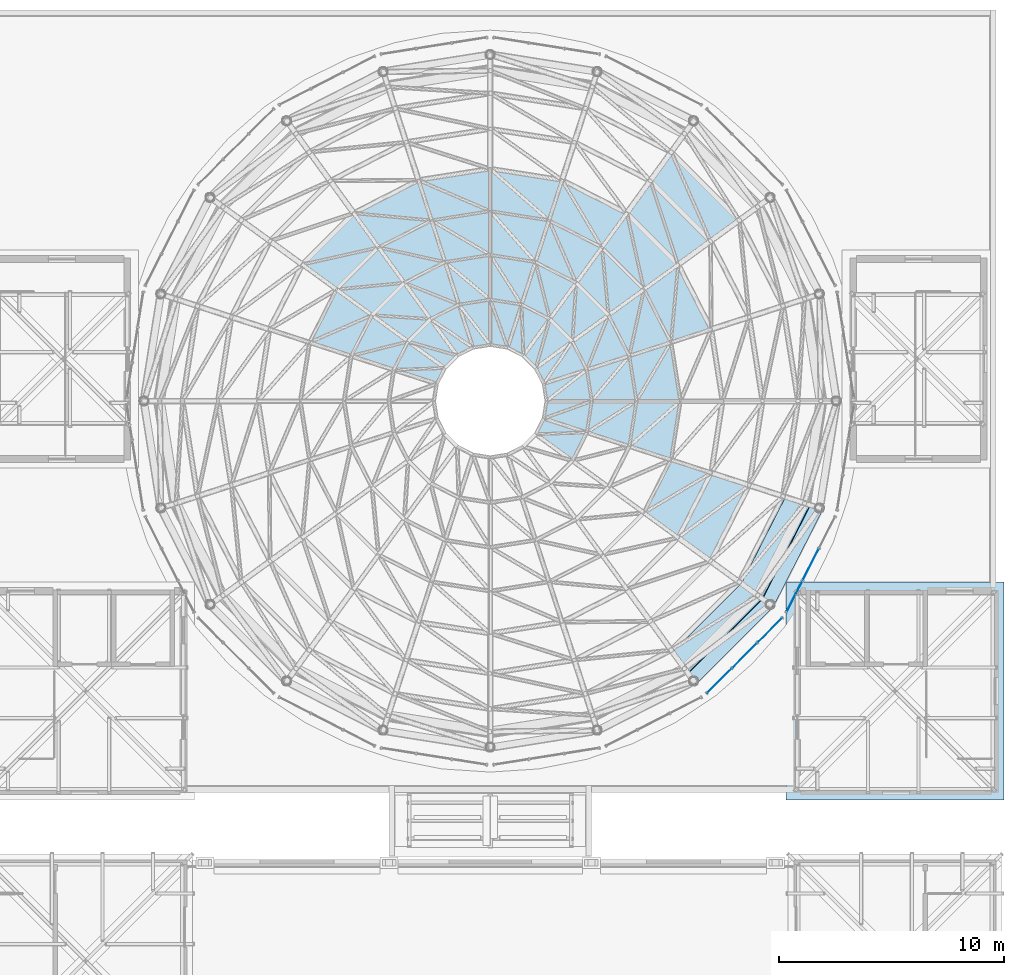
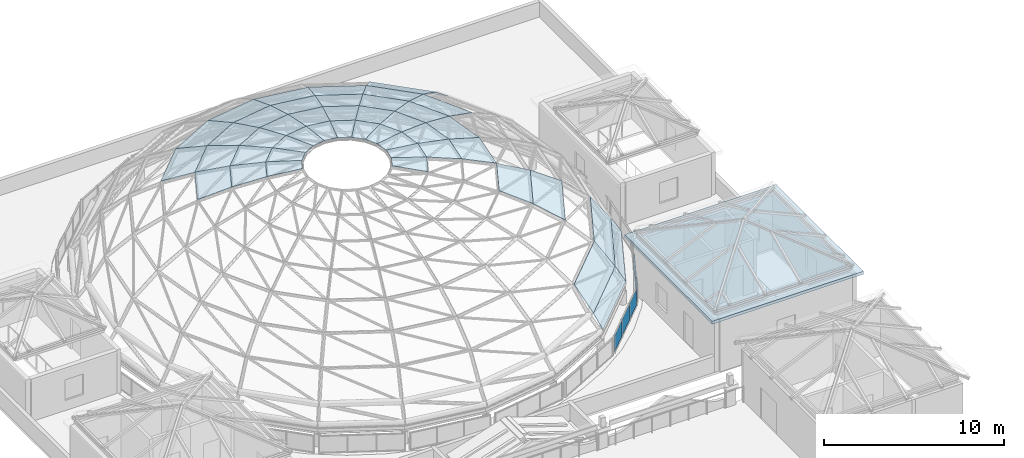
# One storey, part 44 of 69: 51 plates, 1 slab, 2 elements without a shape of their own.
"""IFC4 building model written with IfcOpenShell, lengths in metres."""

from ifc_helpers import new_model, si_unit, direction, frame, origin, origin_2d, place, context, subcontext, project, spatial, polyline, rectangle, outline, extrude, material, layer, layer_set, type_object, element, aggregate, save


model = new_model("IFC4")

# Units and contexts
model_context = context("Model", 3, precision=1e-05, world=origin(), true_north=direction((0.0, 1.0)))
body_context = subcontext(model_context, "Body", "Model", "MODEL_VIEW")
ifc_project = project(units=[si_unit("LENGTHUNIT", "METRE"), si_unit("AREAUNIT", "SQUARE_METRE"), si_unit("VOLUMEUNIT", "CUBIC_METRE"), si_unit("PLANEANGLEUNIT", "RADIAN"), si_unit("MASSUNIT", "GRAM", prefix="KILO")], contexts=[model_context])

# Site, building, storey
site_placement = place(None, origin())
site = spatial("IfcSite", under=ifc_project, at=site_placement, CompositionType="ELEMENT")
building_placement = place(site_placement, origin())
building = spatial("IfcBuilding", under=site, at=building_placement, Name="Kallimachos Central Library", CompositionType="ELEMENT")
storey_placement = place(building_placement, frame((0.0, 0.0, 23.39990234375)))
storey = spatial("IfcBuildingStorey", under=building, at=storey_placement, Name="L05", CompositionType="ELEMENT", Elevation=23.39990234375)

# Plates
ifc_material_1 = material(Name="Laminated glass", Category="glass")
ifc_layer_1 = layer(ifc_material_1, 0.030029296875)
ifc_layer_set_1 = layer_set([ifc_layer_1], Name="Dome glass panel 30")
plate_type_1 = type_object("IfcPlateType", Name="Dome glass panel 30", PredefinedType="SHEET", material=ifc_layer_set_1)
plate_1_placement = place(storey_placement, frame((90.515869140625, 104.39990234375, 8.371826171875), z_axis=(0.125332004224, 0.019854296883, 0.991916173682), x_axis=(0.992111735166, -1.63386e-07, -0.125356710817)))
element("IfcPlate", 1, at=plate_1_placement, inside=storey, type_object=plate_type_1, Name="Dome glass panel", PredefinedType="SHEET", context=body_context, shape_type="SweptSolid", body=[
    extrude(outline(polyline([(0.0, 0.0), (2.0353403135638883, 0.0), (1.8149246355847968, 1.4018879591776596), (-0.12207637571028697, 0.7777408432805891), (0.0, 0.0)])), origin(), (0.0, 0.0, -1.0), 0.030029296875),
])
plate_2_placement = place(storey_placement, frame((90.392822265625, 105.177490234375, 8.371826171875), z_axis=(0.113068264415, 0.057608498402, 0.99191573659), x_axis=(0.943535797581, 0.306634195286, -0.125362151247)))
element("IfcPlate", 2, at=plate_2_placement, inside=storey, type_object=plate_type_1, Name="Dome glass panel", PredefinedType="SHEET", context=body_context, shape_type="SweptSolid", body=[
    extrude(outline(polyline([(0.0, 0.0), (2.0350755613221274, -1.1275702593849246e-17), (1.8150326973507178, 1.4015967266766933), (-0.12216219838901854, 0.77769609807286), (0.0, 0.0)])), origin(), (0.0, 0.0, -1.0), 0.030029296875),
])
plate_3_placement = place(storey_placement, frame((90.035400390625, 105.87890625, 8.371826171875), z_axis=(0.089715197935, 0.089743286601, 0.991915987254), x_axis=(0.802652272183, 0.583125571939, -0.125355084903)))
element("IfcPlate", 3, at=plate_3_placement, inside=storey, type_object=plate_type_1, Name="Dome glass panel", PredefinedType="SHEET", context=body_context, shape_type="SweptSolid", body=[
    extrude(outline(polyline([(0.0, 0.0), (2.0351845268780306, 2.3158558404290375e-16), (1.814765126590937, 1.4016492561918086), (-0.12233984426975092, 0.7774694821598669), (0.0, 0.0)])), origin(), (0.0, 0.0, -1.0), 0.030029296875),
])
plate_4_placement = place(storey_placement, frame((89.478759765625, 106.435302734375, 8.371826171875), z_axis=(0.057616555586, 0.113056516945, 0.991916607633), x_axis=(0.583125417056, 0.802652234592, -0.125356046073)))
element("IfcPlate", 4, at=plate_4_placement, inside=storey, type_object=plate_type_1, Name="Dome glass panel", PredefinedType="SHEET", context=body_context, shape_type="SweptSolid", body=[
    extrude(outline(polyline([(0.0, 0.0), (2.035184526883155, -3.0444397003392965e-16), (1.8151590966028095, 1.401711664347648), (-0.12212803998035682, 0.7777014629893723), (0.0, 0.0)])), origin(), (0.0, 0.0, -1.0), 0.030029296875),
])
plate_5_placement = place(storey_placement, frame((88.77734375, 106.792724609375, 8.371826171875), z_axis=(0.019858637576, 0.125331316641, 0.991916173667), x_axis=(0.306599184583, 0.94354771404, -0.125358092451)))
element("IfcPlate", 5, at=plate_5_placement, inside=storey, type_object=plate_type_1, Name="Dome glass panel", PredefinedType="SHEET", context=body_context, shape_type="SweptSolid", body=[
    extrude(outline(polyline([(0.0, 0.0), (2.035305918223629, -5.117434254131581e-17), (1.8150436019535456, 1.401629298884149), (-0.12200200393580925, 0.7775470988958623), (0.0, 0.0)])), origin(), (0.0, 0.0, -1.0), 0.030029296875),
])
plate_6_placement = place(storey_placement, frame((88.0, 106.916015625, 8.371826171875), z_axis=(-0.019858637576, 0.125331316641, 0.991916173667), x_axis=(-1.48689e-07, 0.992111819918, -0.125356040056)))
element("IfcPlate", 6, at=plate_6_placement, inside=storey, type_object=plate_type_1, Name="Dome glass panel", PredefinedType="SHEET", context=body_context, shape_type="SweptSolid", body=[
    extrude(outline(polyline([(0.0, 0.0), (2.035098098774965, -1.734723475976807e-18), (1.8149250541382458, 1.4016433247707958), (-0.12231835830898213, 0.7774973949707614), (0.0, 0.0)])), origin(), (0.0, 0.0, -1.0), 0.030029296875),
])
plate_7_placement = place(storey_placement, frame((87.22265625, 106.792724609375, 8.371826171875), z_axis=(-0.057616555586, 0.113056516945, 0.991916607633), x_axis=(-0.306599211448, 0.943548413322, -0.125352763258)))
element("IfcPlate", 7, at=plate_7_placement, inside=storey, type_object=plate_type_1, Name="Dome glass panel", PredefinedType="SHEET", context=body_context, shape_type="SweptSolid", body=[
    extrude(outline(polyline([(0.0, 0.0), (2.0353059182761197, -9.540979117872439e-18), (1.8149803455522193, 1.4016645183289014), (-0.12219124575494142, 0.7776915347013296), (0.0, 0.0)])), origin(), (0.0, 0.0, -1.0), 0.030029296875),
])
plate_8_placement = place(storey_placement, frame((86.521240234375, 106.435302734375, 8.371826171875), z_axis=(-0.089715197935, 0.089743286601, 0.991915987254), x_axis=(-0.583125018649, 0.802651718893, -0.125361201267)))
element("IfcPlate", 8, at=plate_8_placement, inside=storey, type_object=plate_type_1, Name="Dome glass panel", PredefinedType="SHEET", context=body_context, shape_type="SweptSolid", body=[
    extrude(outline(polyline([(0.0, 0.0), (2.03518452687803, 2.445960101127298e-16), (1.8151034511248312, 1.4017024183118492), (-0.12200151973585638, 0.7775226442799076), (0.0, 0.0)])), origin(), (0.0, 0.0, -1.0), 0.030029296875),
])
for number, where, z_axis, x_axis, name in (
    (9, (85.964599609375, 105.87890625, 8.371826171875), (-0.113068264415, 0.057608498402, 0.99191573659), (-0.802651687371, 0.583125138216, -0.125360846922), "Dome glass panel"),
    (10, (90.035400390625, 102.921142578125, 8.371826171875), (0.113068264415, -0.057608498402, 0.99191573659), (0.802651687371, -0.583125138216, -0.125360846922), "Dome glass panel"),
):
    element("IfcPlate", number, at=place(storey_placement, frame(where, z_axis=z_axis, x_axis=x_axis)), inside=storey, type_object=plate_type_1, Name=name, PredefinedType="SHEET", context=body_context, shape_type="SweptSolid", body=[
        extrude(outline(polyline([(0.0, 0.0), (2.035184526880142, -1.3010426069826053e-17), (1.8149631366456382, 1.4015686873994952), (-0.1221280399865638, 0.7777014629805128), (0.0, 0.0)])), origin(), (0.0, 0.0, -1.0), 0.030029296875),
    ])
plate_9_placement = place(storey_placement, frame((90.392822265625, 103.62255859375, 8.371826171875), z_axis=(0.125331316641, -0.019858637576, 0.991916173667), x_axis=(0.943536435391, -0.306634188147, -0.125357368151)))
element("IfcPlate", 11, at=plate_9_placement, inside=storey, type_object=plate_type_1, Name="Dome glass panel", PredefinedType="SHEET", context=body_context, shape_type="SweptSolid", body=[
    extrude(outline(polyline([(0.0, 0.0), (2.035075561271716, 8.847089727481716e-17), (1.8149920447297418, 1.4016960605105235), (-0.12226095986861575, 0.7774677463196619), (0.0, 0.0)])), origin(), (0.0, 0.0, -1.0), 0.030029296875),
])
plate_10_placement = place(storey_placement, frame((92.53515625, 104.39990234375, 8.11669921875), z_axis=(0.201147794281, 0.031856894976, 0.979042748351), x_axis=(0.979539919561, 5.87271e-07, -0.201249958973)))
element("IfcPlate", 12, at=plate_10_placement, inside=storey, type_object=plate_type_1, Name="Dome glass panel", PredefinedType="SHEET", context=body_context, shape_type="SweptSolid", body=[
    extrude(outline(polyline([(0.0, 0.0), (2.0402871612589446, -1.734723475976807e-18), (1.727246902964533, 2.020067259094484), (-0.21762157111267377, 1.4023244174721545), (0.0, 0.0)])), origin(), (0.0, 0.0, -1.0), 0.030029296875),
])
plate_11_placement = place(storey_placement, frame((92.31298828125, 105.801513671875, 8.11669921875), z_axis=(0.181455239551, 0.092457610785, 0.979043199378), x_axis=(0.931639632713, 0.302570251874, -0.201243229551)))
element("IfcPlate", 13, at=plate_11_placement, inside=storey, type_object=plate_type_1, Name="Dome glass panel", PredefinedType="SHEET", context=body_context, shape_type="SweptSolid", body=[
    extrude(outline(polyline([(0.0, 0.0), (2.0406174558170918, -4.163336342344337e-17), (1.726990201340094, 2.020202577626208), (-0.2175186979711335, 1.401990678291053), (0.0, 0.0)])), origin(), (0.0, 0.0, -1.0), 0.030029296875),
])
plate_12_placement = place(storey_placement, frame((91.6689453125, 107.065673828125, 8.11669921875), z_axis=(0.143997379448, 0.143997379448, 0.979045202952), x_axis=(0.792459856033, 0.575769488202, -0.201238348811)))
element("IfcPlate", 14, at=plate_12_placement, inside=storey, type_object=plate_type_1, Name="Dome glass panel", PredefinedType="SHEET", context=body_context, shape_type="SweptSolid", body=[
    extrude(outline(polyline([(0.0, 0.0), (2.0404168228596085, -3.2959746043559335e-17), (1.7273720943258697, 2.020040895777263), (-0.21757157745986522, 1.4020941326783494), (0.0, 0.0)])), origin(), (0.0, 0.0, -1.0), 0.030029296875),
])
plate_13_placement = place(storey_placement, frame((90.66552734375, 108.06884765625, 8.11669921875), z_axis=(0.092452635267, 0.18144547471, 0.979045478994), x_axis=(0.575791124849, 0.792444800752, -0.201235728203)))
element("IfcPlate", 15, at=plate_13_placement, inside=storey, type_object=plate_type_1, Name="Dome glass panel", PredefinedType="SHEET", context=body_context, shape_type="SweptSolid", body=[
    extrude(outline(polyline([(0.0, 0.0), (2.0407508639942638, 2.480654570646834e-16), (1.7272999619340712, 2.0201177853678898), (-0.2173302283404689, 1.4021320733154607), (0.0, 0.0)])), origin(), (0.0, 0.0, -1.0), 0.030029296875),
])
plate_14_placement = place(storey_placement, frame((89.4013671875, 108.713134765625, 8.11669921875), z_axis=(0.031858817817, 0.201145578016, 0.979043141119), x_axis=(0.302713516239, 0.931592221414, -0.201247261066)))
element("IfcPlate", 16, at=plate_14_placement, inside=storey, type_object=plate_type_1, Name="Dome glass panel", PredefinedType="SHEET", context=body_context, shape_type="SweptSolid", body=[
    extrude(outline(polyline([(0.0, 0.0), (2.0404638977366996, -1.9081958235744878e-17), (1.727218055636037, 2.020074029068446), (-0.2174702768424365, 1.402065211869158), (0.0, 0.0)])), origin(), (0.0, 0.0, -1.0), 0.030029296875),
])
plate_15_placement = place(storey_placement, frame((88.0, 108.93505859375, 8.11669921875), z_axis=(-0.031858817817, 0.201145578016, 0.979043141119), x_axis=(1.07812e-07, 0.979540377052, -0.201247732222)))
element("IfcPlate", 17, at=plate_15_placement, inside=storey, type_object=plate_type_1, Name="Dome glass panel", PredefinedType="SHEET", context=body_context, shape_type="SweptSolid", body=[
    extrude(outline(polyline([(0.0, 0.0), (2.0405263067684203, 0.0), (1.7272453532670506, 2.0200685841533828), (-0.2173835013622884, 1.4020786686128224), (0.0, 0.0)])), origin(), (0.0, 0.0, -1.0), 0.030029296875),
])
plate_16_placement = place(storey_placement, frame((86.5986328125, 108.713134765625, 8.11669921875), z_axis=(-0.092452635267, 0.18144547471, 0.979045478994), x_axis=(-0.302714679049, 0.931594034437, -0.201237119066)))
element("IfcPlate", 18, at=plate_16_placement, inside=storey, type_object=plate_type_1, Name="Dome glass panel", PredefinedType="SHEET", context=body_context, shape_type="SweptSolid", body=[
    extrude(outline(polyline([(0.0, 0.0), (2.040463897555686, 3.9898639947466563e-17), (1.7273694872744678, 2.020173068084186), (-0.2175341915928975, 1.4021004438550246), (0.0, 0.0)])), origin(), (0.0, 0.0, -1.0), 0.030029296875),
])
plate_17_placement = place(storey_placement, frame((85.33447265625, 108.06884765625, 8.11669921875), z_axis=(-0.143997379448, 0.143997379448, 0.979045202952), x_axis=(-0.575789914685, 0.792444813477, -0.201239140676)))
element("IfcPlate", 19, at=plate_17_placement, inside=storey, type_object=plate_type_1, Name="Dome glass panel", PredefinedType="SHEET", context=body_context, shape_type="SweptSolid", body=[
    extrude(outline(polyline([(0.0, 0.0), (2.0407508638841243, -2.0643209364124004e-16), (1.727423362501419, 2.0199970543425647), (-0.21720195049380997, 1.4021514400773945), (0.0, 0.0)])), origin(), (0.0, 0.0, -1.0), 0.030029296875),
])
plate_18_placement = place(storey_placement, frame((84.3310546875, 107.065673828125, 8.11669921875), z_axis=(-0.181455239551, 0.092457610785, 0.979043199378), x_axis=(-0.79245882062, 0.575767743747, -0.20124741708)))
element("IfcPlate", 20, at=plate_18_placement, inside=storey, type_object=plate_type_1, Name="Dome glass panel", PredefinedType="SHEET", context=body_context, shape_type="SweptSolid", body=[
    extrude(outline(polyline([(0.0, 0.0), (2.0404168230977073, 3.0010716134398763e-16), (1.727214992018508, 2.02026857680037), (-0.21748510945490485, 1.4019958891335778), (0.0, 0.0)])), origin(), (0.0, 0.0, -1.0), 0.030029296875),
])
plate_19_placement = place(storey_placement, frame((92.31298828125, 102.99853515625, 8.11669921875), z_axis=(0.201145578016, -0.031858817817, 0.979043141119), x_axis=(0.931603188621, -0.302679011298, -0.201248391475)))
element("IfcPlate", 21, at=plate_19_placement, inside=storey, type_object=plate_type_1, Name="Dome glass panel", PredefinedType="SHEET", context=body_context, shape_type="SweptSolid", body=[
    extrude(outline(polyline([(0.0, 0.0), (2.0406913385827257, 6.938893903907228e-18), (1.7272912288348485, 2.02001146170564), (-0.2171920466806242, 1.4021470014295172), (0.0, 0.0)])), origin(), (0.0, 0.0, -1.0), 0.030029296875),
])
plate_20_placement = place(storey_placement, frame((94.53369140625, 104.39990234375, 7.7060546875), z_axis=(0.282758662531, 0.044765041952, 0.958145933448), x_axis=(0.959107402471, -4.05781e-07, -0.283042382913)))
element("IfcPlate", 22, at=plate_20_placement, inside=storey, type_object=plate_type_1, Name="Dome glass panel", PredefinedType="SHEET", context=body_context, shape_type="SweptSolid", body=[
    extrude(outline(polyline([(0.0, 0.0), (2.041738719622893, 0.0), (1.6432023034241368, 2.626901600673863), (-0.306512437902067, 2.0210680495871465), (0.0, 0.0)])), origin(), (0.0, 0.0, -1.0), 0.030029296875),
])
plate_21_placement = place(storey_placement, frame((94.214111328125, 106.4189453125, 7.7060546875), z_axis=(0.25507469904, 0.129982986169, 0.958144728742), x_axis=(0.912146870215, 0.296435723963, -0.283044075569)))
element("IfcPlate", 23, at=plate_21_placement, inside=storey, type_object=plate_type_1, Name="Dome glass panel", PredefinedType="SHEET", context=body_context, shape_type="SweptSolid", body=[
    extrude(outline(polyline([(0.0, 0.0), (2.041671340961786, 6.591949208711867e-17), (1.6430685806615872, 2.6267564337730622), (-0.3067078769705679, 2.0212646506239476), (0.0, 0.0)])), origin(), (0.0, 0.0, -1.0), 0.030029296875),
])
plate_22_placement = place(storey_placement, frame((93.285888671875, 108.240478515625, 7.7060546875), z_axis=(0.202453785569, 0.202424050123, 0.958142457383), x_axis=(0.775962378448, 0.563705581533, -0.283051946792)))
element("IfcPlate", 24, at=plate_22_placement, inside=storey, type_object=plate_type_1, Name="Dome glass panel", PredefinedType="SHEET", context=body_context, shape_type="SweptSolid", body=[
    extrude(outline(polyline([(0.0, 0.0), (2.041628892370272, 2.3245294578089215e-16), (1.6430077139819477, 2.6269299902336907), (-0.30663977835806633, 2.021023075127617), (0.0, 0.0)])), origin(), (0.0, 0.0, -1.0), 0.030029296875),
])
plate_23_placement = place(storey_placement, frame((91.840576171875, 109.68603515625, 7.7060546875), z_axis=(0.129959379925, 0.255086727075, 0.958144728754), x_axis=(0.563706877465, 0.775964307167, -0.283044078372)))
element("IfcPlate", 25, at=plate_23_placement, inside=storey, type_object=plate_type_1, Name="Dome glass panel", PredefinedType="SHEET", context=body_context, shape_type="SweptSolid", body=[
    extrude(outline(polyline([(0.0, 0.0), (2.041628892354339, 2.0816681711721685e-17), (1.6430844083452523, 2.626653167731959), (-0.30673258819064386, 2.0211487958049257), (0.0, 0.0)])), origin(), (0.0, 0.0, -1.0), 0.030029296875),
])
plate_24_placement = place(storey_placement, frame((90.01904296875, 110.614013671875, 7.7060546875), z_axis=(0.044794048364, 0.282754067654, 0.958145933799), x_axis=(0.296436073335, 0.912148463387, -0.283038575405)))
element("IfcPlate", 26, at=plate_24_placement, inside=storey, type_object=plate_type_1, Name="Dome glass panel", PredefinedType="SHEET", context=body_context, shape_type="SweptSolid", body=[
    extrude(outline(polyline([(0.0, 0.0), (2.0416713409408356, 5.204170427930421e-17), (1.6429890852942148, 2.626918100695097), (-0.3067899998638873, 2.0210645552408626), (0.0, 0.0)])), origin(), (0.0, 0.0, -1.0), 0.030029296875),
])
plate_25_placement = place(storey_placement, frame((88.0, 110.933837890625, 7.7060546875), z_axis=(-0.044794048364, 0.282754067654, 0.958145933799), x_axis=(2.08633e-07, 0.959108648607, -0.283038160267)))
element("IfcPlate", 27, at=plate_25_placement, inside=storey, type_object=plate_type_1, Name="Dome glass panel", PredefinedType="SHEET", context=body_context, shape_type="SweptSolid", body=[
    extrude(outline(polyline([(0.0, 0.0), (2.0417387196846306, 0.0), (1.6429681456680139, 2.626904695268839), (-0.30674659547576, 2.0210711433869566), (0.0, 0.0)])), origin(), (0.0, 0.0, -1.0), 0.030029296875),
])
plate_26_placement = place(storey_placement, frame((85.98095703125, 110.614013671875, 7.7060546875), z_axis=(-0.129959379925, 0.255086727075, 0.958144728754), x_axis=(-0.296435207586, 0.912145856602, -0.283047882854)))
element("IfcPlate", 28, at=plate_26_placement, inside=storey, type_object=plate_type_1, Name="Dome glass panel", PredefinedType="SHEET", context=body_context, shape_type="SweptSolid", body=[
    extrude(outline(polyline([(0.0, 0.0), (2.041671340936884, 3.122502256758253e-17), (1.6432912728560392, 2.6266781094466656), (-0.30648518484970133, 2.021186326618473), (0.0, 0.0)])), origin(), (0.0, 0.0, -1.0), 0.030029296875),
])
plate_27_placement = place(storey_placement, frame((84.159423828125, 109.68603515625, 7.7060546875), z_axis=(-0.202453785569, 0.202424050123, 0.958142457383), x_axis=(-0.563706859236, 0.775963656151, -0.283045899427)))
element("IfcPlate", 29, at=plate_27_placement, inside=storey, type_object=plate_type_1, Name="Dome glass panel", PredefinedType="SHEET", context=body_context, shape_type="SweptSolid", body=[
    extrude(outline(polyline([(0.0, 0.0), (2.041628892370272, 6.245004513516506e-17), (1.6426806462969665, 2.6268803388056923), (-0.3069668460430478, 2.0209734236996186), (0.0, 0.0)])), origin(), (0.0, 0.0, -1.0), 0.030029296875),
])
plate_28_placement = place(storey_placement, frame((82.714111328125, 108.240478515625, 7.7060546875), z_axis=(-0.25507469904, 0.129982986169, 0.958144728742), x_axis=(-0.775963293511, 0.563706361067, -0.283047885729)))
element("IfcPlate", 30, at=plate_28_placement, inside=storey, type_object=plate_type_1, Name="Dome glass panel", PredefinedType="SHEET", context=body_context, shape_type="SweptSolid", body=[
    extrude(outline(polyline([(0.0, 0.0), (2.041628892379242, -4.5102810375396984e-17), (1.6432738524212416, 2.62679401267537), (-0.3065431440410664, 2.021289640427408), (0.0, 0.0)])), origin(), (0.0, 0.0, -1.0), 0.030029296875),
])
plate_29_placement = place(storey_placement, frame((94.214111328125, 102.380859375, 7.7060546875), z_axis=(0.282760860823, -0.044767743818, 0.95814515847), x_axis=(0.912182696479, -0.296327298048, -0.283042153532)))
element("IfcPlate", 31, at=plate_29_placement, inside=storey, type_object=plate_type_1, Name="Dome glass panel", PredefinedType="SHEET", context=body_context, shape_type="SweptSolid", body=[
    extrude(outline(polyline([(0.0, 0.0), (2.0415989821079914, -5.551115123125783e-17), (1.6430660597421414, 2.6266582349446868), (-0.3067821301670688, 2.0210271299669147), (0.0, 0.0)])), origin(), (0.0, 0.0, -1.0), 0.030029296875),
])
plate_30_placement = place(storey_placement, frame((96.076416015625, 107.024169921875, 7.128173828125), z_axis=(0.326814272817, 0.166520879886, 0.93030276128), x_axis=(0.886237779917, 0.287933240026, -0.362873320508)))
element("IfcPlate", 32, at=plate_30_placement, inside=storey, type_object=plate_type_1, Name="Dome glass panel", PredefinedType="SHEET", context=body_context, shape_type="SweptSolid", body=[
    extrude(outline(polyline([(0.0, 0.0), (2.0451804559053692, 4.163336342344337e-17), (1.5710054139393719, 3.2184578814416644), (-0.3874756287306276, 2.6284208486425245), (0.0, 0.0)])), origin(), (0.0, 0.0, -1.0), 0.030029296875),
])
plate_31_placement = place(storey_placement, frame((94.8701171875, 109.391357421875, 7.128173828125), z_axis=(0.259362163446, 0.259347012017, 0.93030661372), x_axis=(0.753866770616, 0.547733847336, -0.362867089501)))
element("IfcPlate", 33, at=plate_31_placement, inside=storey, type_object=plate_type_1, Name="Dome glass panel", PredefinedType="SHEET", context=body_context, shape_type="SweptSolid", body=[
    extrude(outline(polyline([(0.0, 0.0), (2.0454319093557203, -2.7755575615628914e-17), (1.571265795305453, 3.218363245383146), (-0.3871203883781611, 2.6286494291132882), (0.0, 0.0)])), origin(), (0.0, 0.0, -1.0), 0.030029296875),
])
plate_32_placement = place(storey_placement, frame((92.991455078125, 111.270263671875, 7.128173828125), z_axis=(0.166520879886, 0.326814272817, 0.93030276128), x_axis=(0.547790019045, 0.753824493575, -0.362870125419)))
element("IfcPlate", 34, at=plate_32_placement, inside=storey, type_object=plate_type_1, Name="Dome glass panel", PredefinedType="SHEET", context=body_context, shape_type="SweptSolid", body=[
    extrude(outline(polyline([(0.0, 0.0), (2.045247865135542, 4.163336342344337e-17), (1.5708160511730593, 3.2185320748863604), (-0.38756812167920374, 2.6282951735943545), (0.0, 0.0)])), origin(), (0.0, 0.0, -1.0), 0.030029296875),
])
plate_33_placement = place(storey_placement, frame((90.624267578125, 112.476318359375, 7.128173828125), z_axis=(0.057379461971, 0.36227698329, 0.930302630719), x_axis=(0.287897476375, 0.886247441234, -0.362878100748)))
element("IfcPlate", 35, at=plate_33_placement, inside=storey, type_object=plate_type_1, Name="Dome glass panel", PredefinedType="SHEET", context=body_context, shape_type="SweptSolid", body=[
    extrude(outline(polyline([(0.0, 0.0), (2.0453968238416653, -1.5959455978986625e-16), (1.571256438334218, 3.2184300870081666), (-0.38704359890927253, 2.628658117614707), (0.0, 0.0)])), origin(), (0.0, 0.0, -1.0), 0.030029296875),
])
plate_34_placement = place(storey_placement, frame((88.0, 112.89208984375, 7.128173828125), z_axis=(-0.057379461971, 0.36227698329, 0.930302630719), x_axis=(-1.273105e-06, 0.931837861648, -0.362874909021)))
element("IfcPlate", 36, at=plate_34_placement, inside=storey, type_object=plate_type_1, Name="Dome glass panel", PredefinedType="SHEET", context=body_context, shape_type="SweptSolid", body=[
    extrude(outline(polyline([(0.0, 0.0), (2.0451821463503186, -6.938893903907228e-18), (1.571077324976621, 3.2184353261295713), (-0.38742826996746316, 2.628601449894669), (0.0, 0.0)])), origin(), (0.0, 0.0, -1.0), 0.030029296875),
])
plate_35_placement = place(storey_placement, frame((85.375732421875, 112.476318359375, 7.128173828125), z_axis=(-0.166520879886, 0.326814272817, 0.93030276128), x_axis=(-0.28789628579, 0.886250643372, -0.362871224749)))
element("IfcPlate", 37, at=plate_35_placement, inside=storey, type_object=plate_type_1, Name="Dome glass panel", PredefinedType="SHEET", context=body_context, shape_type="SweptSolid", body=[
    extrude(outline(polyline([(0.0, 0.0), (2.0453968241211857, 1.1102230246251565e-16), (1.5708792969684038, 3.2185194390584067), (-0.38736225372054733, 2.6283255226234563), (0.0, 0.0)])), origin(), (0.0, 0.0, -1.0), 0.030029296875),
])
plate_36_placement = place(storey_placement, frame((83.008544921875, 111.270263671875, 7.128173828125), z_axis=(-0.259362163446, 0.259347012017, 0.93030661372), x_axis=(-0.547791975116, 0.753824077835, -0.362868036171)))
element("IfcPlate", 38, at=plate_36_placement, inside=storey, type_object=plate_type_1, Name="Dome glass panel", PredefinedType="SHEET", context=body_context, shape_type="SweptSolid", body=[
    extrude(outline(polyline([(0.0, 0.0), (2.04524786506243, 1.3877787807814457e-16), (1.5713136678393669, 3.2183974054875817), (-0.3872487437759913, 2.628630523051802), (0.0, 0.0)])), origin(), (0.0, 0.0, -1.0), 0.030029296875),
])
plate_37_placement = place(storey_placement, frame((94.8701171875, 99.408447265625, 7.128173828125), z_axis=(0.326814272817, -0.166520879886, 0.93030276128), x_axis=(0.753919057486, -0.547653986415, -0.362878996254)))
element("IfcPlate", 39, at=plate_37_placement, inside=storey, type_object=plate_type_1, Name="Dome glass panel", PredefinedType="SHEET", context=body_context, shape_type="SweptSolid", body=[
    extrude(outline(polyline([(0.0, 0.0), (2.0452981946702637, -2.983724378680108e-16), (1.5713500140089187, 3.218271417573321), (-0.3870817000073774, 2.6286987642574737), (0.0, 0.0)])), origin(), (0.0, 0.0, -1.0), 0.030029296875),
])
plate_38_placement = place(storey_placement, frame((96.412109375, 110.51171875, 6.385986328125), z_axis=(0.344906838726, 0.344906838726, 0.872971102156), x_axis=(0.708336158693, 0.514590986254, -0.483172850183)))
element("IfcPlate", 40, at=plate_38_placement, inside=storey, type_object=plate_type_1, Name="Dome glass panel", PredefinedType="SHEET", context=body_context, shape_type="SweptSolid", body=[
    extrude(outline(polyline([(0.0, 0.0), (2.051462405480206, -1.5265566588595902e-16), (1.5287856097182972, 3.77922759893425), (-0.44567065788857074, 3.222432799742851), (0.0, 0.0)])), origin(), (0.0, 0.0, -1.0), 0.030029296875),
])
plate_39_placement = place(storey_placement, frame((96.412109375, 98.288330078125, 6.385986328125), z_axis=(0.434605743219, -0.221439165851, 0.872973392372), x_axis=(0.708335932993, -0.514590871256, -0.483173303537)))
element("IfcPlate", 41, at=plate_39_placement, inside=storey, type_object=plate_type_1, Name="Dome glass panel", PredefinedType="SHEET", context=body_context, shape_type="SweptSolid", body=[
    extrude(outline(polyline([(0.0, 0.0), (2.0514624054799295, 1.942890293094024e-16), (1.5290713918437049, 3.77902867941095), (-0.44543426877057457, 3.2223417117686384), (0.0, 0.0)])), origin(), (0.0, 0.0, -1.0), 0.030029296875),
])
plate_40_placement = place(storey_placement, frame((97.865234375, 111.5673828125, 5.394775390625), z_axis=(0.446723515865, 0.446723515865, 0.775162048056), x_axis=(0.630133225216, 0.457956643064, -0.627062860926)))
element("IfcPlate", 42, at=plate_40_placement, inside=storey, type_object=plate_type_1, Name="Dome glass panel", PredefinedType="SHEET", context=body_context, shape_type="SweptSolid", body=[
    extrude(outline(polyline([(0.0, 0.0), (2.0673951521168705, 5.551115123125783e-17), (1.5415756047182296, 4.286816655979638), (-0.46449004706651076, 3.7868194139079865), (0.0, 0.0)])), origin(), (0.0, 0.0, -1.0), 0.030029296875),
])
plate_41_placement = place(storey_placement, frame((96.114013671875, 93.23193359375, 4.098388671875), z_axis=(0.577037199739, -0.577059326246, 0.577953807938), x_axis=(0.342538958721, -0.471408907353, -0.812675029656)))
element("IfcPlate", 43, at=plate_41_placement, inside=storey, type_object=plate_type_1, Name="Dome glass panel", PredefinedType="SHEET", context=body_context, shape_type="SweptSolid", body=[
    extrude(outline(polyline([(0.0, 0.0), (2.0100357559715203, 0.0), (1.5831747540244945, 4.665960792110681), (-0.39356303404184145, 4.300975630258858), (0.0, 0.0)])), origin(), (0.0, 0.0, -1.0), 0.030029296875),
])
plate_42_placement = place(storey_placement, frame((99.16796875, 96.285888671875, 4.098388671875), z_axis=(0.727132424809, -0.370480641481, 0.577946823747), x_axis=(0.471445000162, -0.342480092095, -0.81267890236)))
element("IfcPlate", 44, at=plate_42_placement, inside=storey, type_object=plate_type_1, Name="Dome glass panel", PredefinedType="SHEET", context=body_context, shape_type="SweptSolid", body=[
    extrude(outline(polyline([(0.0, 0.0), (2.01015085108074, -2.220446049250313e-16), (1.5831047735880786, 4.665892777466114), (-0.3935223267552095, 4.301222083950132), (0.0, 0.0)])), origin(), (0.0, 0.0, -1.0), 0.030029296875),
])
plate_43_placement = place(storey_placement, frame((96.802490234375, 92.284423828125, 2.46484375), z_axis=(0.604845084518, -0.604866940595, 0.517975296621), x_axis=(0.307115335479, -0.422949505093, -0.852522074116)))
element("IfcPlate", 45, at=plate_43_placement, inside=storey, type_object=plate_type_1, Name="Dome glass panel", PredefinedType="SHEET", context=body_context, shape_type="SweptSolid", body=[
    extrude(outline(polyline([(0.0, 0.0), (1.1254977053822914, -5.551115123125783e-17), (0.7266390314974166, 4.85328335494681), (-0.3836822671687552, 4.669709663914871), (0.0, 0.0)])), origin(), (0.0, 0.0, -1.0), 0.030029296875),
])
plate_44_placement = place(storey_placement, frame((100.11572265625, 95.597412109375, 2.46484375), z_axis=(0.762156157911, -0.388323491085, 0.517998896938), x_axis=(0.422882461752, -0.307219951969, -0.852517638911)))
element("IfcPlate", 46, at=plate_44_placement, inside=storey, type_object=plate_type_1, Name="Dome glass panel", PredefinedType="SHEET", context=body_context, shape_type="SweptSolid", body=[
    extrude(outline(polyline([(0.0, 0.0), (1.1253944557772908, 1.3877787807814457e-17), (0.7273463416961623, 4.853078688838223), (-0.38313212204249414, 4.669703795841668), (0.0, 0.0)])), origin(), (0.0, 0.0, -1.0), 0.030029296875),
])

# Slab
ifc_material_2 = material(Name="Concrete C30/37", Category="concrete")
ifc_layer_2 = layer(ifc_material_2, 0.199951171875)
ifc_layer_set_2 = layer_set([ifc_layer_2], Name="Head-house roof slab 200")
slab_type = type_object("IfcSlabType", Name="Head-house roof slab 200", PredefinedType="ROOF", material=ifc_layer_set_2)
slab_placement = place(storey_placement, frame((0.0, 0.0, 3.60009765625)))
element("IfcSlab", 47, at=slab_placement, inside=storey, type_object=slab_type, Name="Head-house roof and cornice V1-SE", PredefinedType="ROOF", context=body_context, shape_type="SweptSolid", body=[
    extrude(outline(polyline([(101.14990234375, 86.64990234375), (110.85009765625, 86.64990234375), (110.85009765625, 96.35009765625), (101.14990234375, 96.35009765625), (101.14990234375, 86.64990234375)])), origin(), (0.0, 0.0, 1.0), 0.199951171875),
])

# Curtain wall, plates
ifc_material_3 = material(Name="Anodised aluminium and laminated glass", Category="aluminium")
ifc_layer_3 = layer(ifc_material_3, 0.159912109375)
ifc_layer_set_3 = layer_set([ifc_layer_3], Name="Glass box curtain wall")
curtain_wall_type = type_object("IfcCurtainWallType", Name="Glass box curtain wall", PredefinedType="NOTDEFINED", material=ifc_layer_set_3)
curtain_wall_1_placement = place(storey_placement, origin())
curtain_wall_1 = element("IfcCurtainWall", 48, at=curtain_wall_1_placement, inside=storey, type_object=curtain_wall_type, Name="Drum clerestory facet 18", PredefinedType="NOTDEFINED")
ifc_material_4 = material(Name="Laminated glass", Category="glass")
ifc_layer_4 = layer(ifc_material_4, 0.028076171875)
ifc_layer_set_4 = layer_set([ifc_layer_4], Name="Laminated glass panel 28")
plate_type_2 = type_object("IfcPlateType", Name="Laminated glass panel 28", PredefinedType="CURTAIN_PANEL", material=ifc_layer_set_4)
plate_45_placement = place(storey_placement, frame((98.186279296875, 91.958740234375, 0.06005859375), z_axis=(0.0, 0.0, 1.0), x_axis=(0.707106781187, 0.707106781187, 0.0)))
plate_45 = element("IfcPlate", 49, at=plate_45_placement, type_object=plate_type_2, Name="CW52 panel 1.1", PredefinedType="CURTAIN_PANEL", context=body_context, shape_type="SweptSolid", body=[
    extrude(rectangle(XDim=1.51953125, YDim=0.028076171875, at=origin_2d()), origin(), (0.0, 0.0, 1.0), 1.080078125),
])
plate_46_placement = place(storey_placement, frame((99.313720703125, 93.086181640625, 0.06005859375), z_axis=(0.0, 0.0, 1.0), x_axis=(0.707106781187, 0.707106781187, 0.0)))
plate_46 = element("IfcPlate", 50, at=plate_46_placement, type_object=plate_type_2, Name="CW52 panel 2.1", PredefinedType="CURTAIN_PANEL", context=body_context, shape_type="SweptSolid", body=[
    extrude(rectangle(XDim=1.549560546875, YDim=0.028076171875, at=origin_2d()), origin(), (0.0, 0.0, 1.0), 1.080078125),
])
plate_47_placement = place(storey_placement, frame((100.441162109375, 94.213623046875, 0.06005859375), z_axis=(0.0, 0.0, 1.0), x_axis=(0.707106781187, 0.707106781187, 0.0)))
plate_47 = element("IfcPlate", 51, at=plate_47_placement, type_object=plate_type_2, Name="CW52 panel 3.1", PredefinedType="CURTAIN_PANEL", context=body_context, shape_type="SweptSolid", body=[
    extrude(rectangle(XDim=1.51953125, YDim=0.028076171875, at=origin_2d()), origin(), (0.0, 0.0, 1.0), 1.080078125),
])
aggregate(curtain_wall_1, [plate_45, plate_46, plate_47])

curtain_wall_2_placement = place(storey_placement, origin())
curtain_wall_2 = element("IfcCurtainWall", 52, at=curtain_wall_2_placement, inside=storey, type_object=curtain_wall_type, Name="Drum clerestory facet 19", PredefinedType="NOTDEFINED")
plate_48_placement = place(storey_placement, frame((101.5322265625, 95.715576171875, 0.06005859375), z_axis=(0.0, 0.0, 1.0), x_axis=(0.453990803653, 0.891006369337, 0.0)))
plate_48 = element("IfcPlate", 53, at=plate_48_placement, type_object=plate_type_2, Name="CW53 panel 1.1", PredefinedType="CURTAIN_PANEL", context=body_context, shape_type="SweptSolid", body=[
    extrude(rectangle(XDim=1.51953125, YDim=0.028076171875, at=origin_2d()), origin(), (0.0, 0.0, 1.0), 1.080078125),
])
plate_49_placement = place(storey_placement, frame((102.256103515625, 97.13623046875, 0.06005859375), z_axis=(0.0, 0.0, 1.0), x_axis=(0.453990803653, 0.891006369337, 0.0)))
plate_49 = element("IfcPlate", 54, at=plate_49_placement, type_object=plate_type_2, Name="CW53 panel 2.1", PredefinedType="CURTAIN_PANEL", context=body_context, shape_type="SweptSolid", body=[
    extrude(rectangle(XDim=1.54931640625, YDim=0.028076171875, at=origin_2d()), origin(), (0.0, 0.0, 1.0), 1.080078125),
])
aggregate(curtain_wall_2, [plate_48, plate_49])

save(model, "model.ifc")
